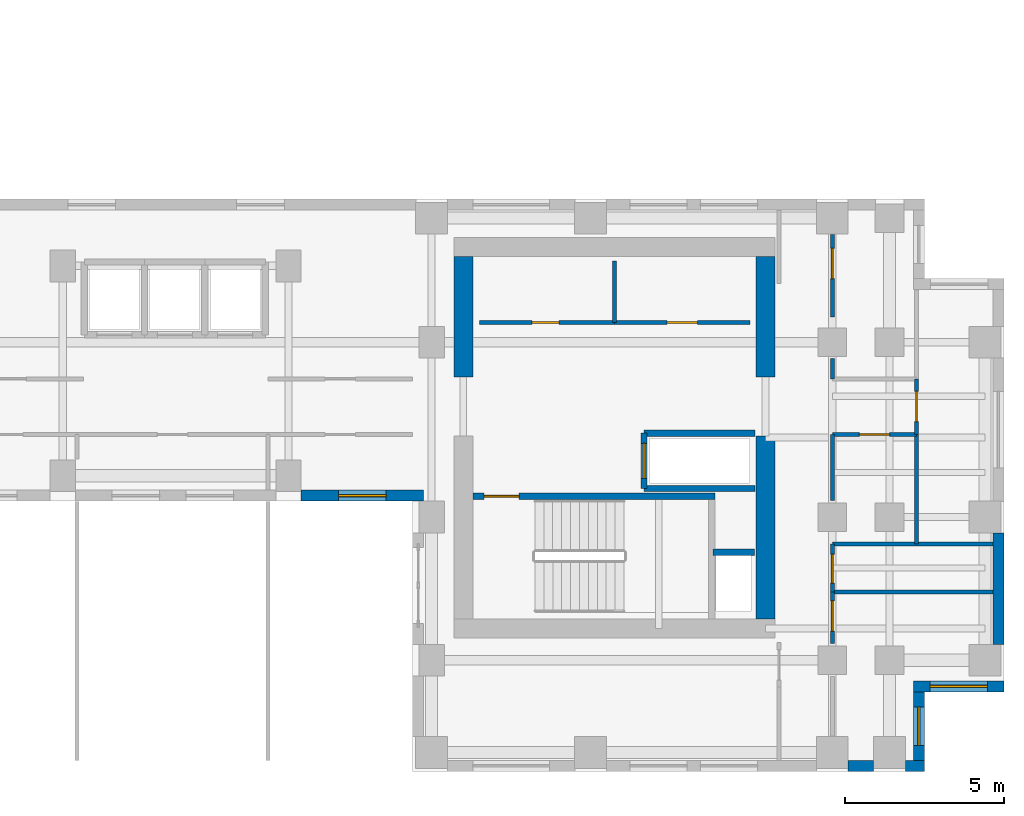
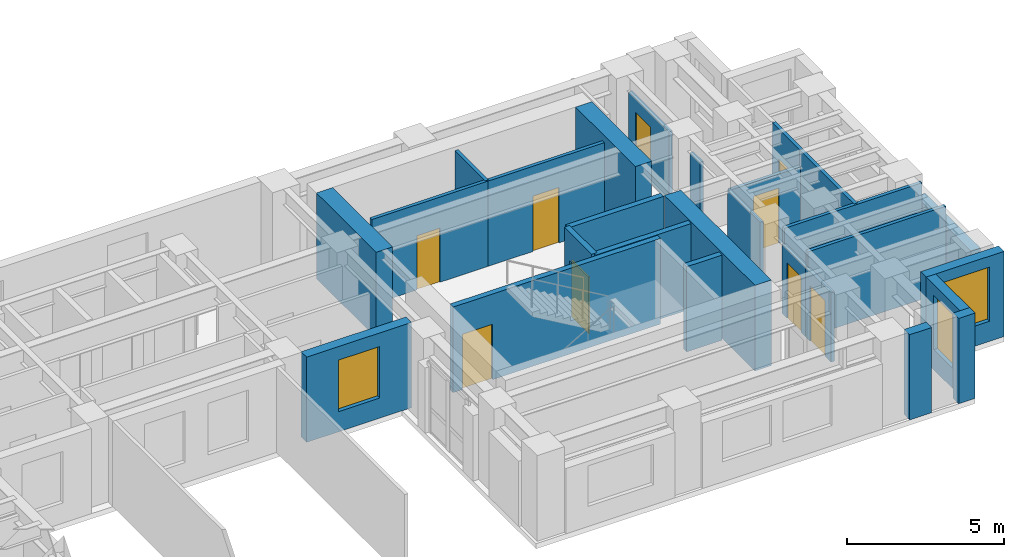
# One storey, part 8 of 12: 27 walls, 9 doors, 3 windows, 12 openings.
"""IFC4 building model written with IfcOpenShell, lengths in metres."""

from ifc_helpers import new_model, si_unit, direction, frame, frame_2d, origin, place, context, subcontext, project, spatial, rectangle, extrude, source, transform, mapped, material, layer, layer_set, type_object, element, fill, save


model = new_model("IFC4")

# Units and contexts
model_context = context("Model", 3, precision=1e-05, world=origin(), true_north=direction((0.0, 1.0)))
body_context = subcontext(model_context, "Body", "Model", "MODEL_VIEW")
ifc_project = project(units=[si_unit("LENGTHUNIT", "METRE"), si_unit("AREAUNIT", "SQUARE_METRE"), si_unit("VOLUMEUNIT", "CUBIC_METRE"), si_unit("PLANEANGLEUNIT", "RADIAN"), si_unit("MASSUNIT", "GRAM", prefix="KILO")], contexts=[model_context])

# Site, building, storey
site_placement = place(None, origin())
site = spatial("IfcSite", under=ifc_project, at=site_placement, CompositionType="ELEMENT")
building_placement = place(site_placement, origin())
building = spatial("IfcBuilding", under=site, at=building_placement, Name="Kharzan Plaza Tower", CompositionType="ELEMENT")
storey_placement = place(building_placement, frame((0.0, 0.0, 204.300048828125)))
storey = spatial("IfcBuildingStorey", under=building, at=storey_placement, Name="L55", CompositionType="ELEMENT", Elevation=204.300048828125)

# Wall, opening, window
ifc_material_1 = material(Name="Concrete C40/50", Category="concrete")
ifc_layer_1 = layer(ifc_material_1, 0.35009765625)
ifc_layer_set_1 = layer_set([ifc_layer_1], Name="Concrete C40/50")
wall_type_1 = type_object("IfcWallType", Name="WL-EXT-MAS-Z3", PredefinedType="SOLIDWALL", material=ifc_layer_set_1)
wall_1_placement = place(storey_placement, frame((30.89794921875, 8.675048828125, 0.0), z_axis=(0.0, 0.0, 1.0), x_axis=(1.0, 0.0, 0.0)))
wall_1 = element("IfcWall", 1, at=wall_1_placement, inside=storey, type_object=wall_type_1, Name="L55 Masonry-Frame Exterior Wall 28", PredefinedType="SOLIDWALL", context=body_context, shape_type="SweptSolid", body=[
    extrude(rectangle(XDim=3.85205078125, YDim=0.35009765625, at=frame_2d((1.926025390625, 0.0))), origin(), (0.0, 0.0, 1.0), 3.304931640625),
])
opening_1_placement = place(wall_1_placement, frame((1.176025390625, 0.0, 0.780029296875)))
opening_1 = element("IfcOpeningElement", 2, at=opening_1_placement, cuts=wall_1, Name="Opening W5", PredefinedType="OPENING", context=body_context, shape_type="SweptSolid", body=[
    extrude(rectangle(XDim=1.5, YDim=2.0, at=frame_2d((0.75, 1.0))), frame((0.0, 0.18505859375, 0.0), z_axis=(0.0, -1.0, 0.0), x_axis=(1.0, 0.0, 0.0)), (0.0, 0.0, 1.0), 0.3701171875),
])
ifc_material_2 = material(Name="Low-E Double Glazing", Category="glass")
window_type_1 = type_object("IfcWindowType", Name="WN-SLT-1500x2000", PartitioningType="SINGLE_PANEL", PredefinedType="WINDOW", material=ifc_material_2)
shared_shape_1 = source(origin(), body_context, "Body", "SweptSolid", [
    extrude(rectangle(XDim=1.5, YDim=2.0, at=frame_2d((0.75, 1.0))), frame((0.0, 0.030029296875, 0.0), z_axis=(0.0, -1.0, 0.0), x_axis=(1.0, 0.0, 0.0)), (0.0, 0.0, 1.0), 0.06005859375),
])
window_1_placement = place(opening_1_placement, origin())
window_1 = element("IfcWindow", 3, at=window_1_placement, inside=storey, type_object=window_type_1, Name="L55 Recessed Solar-Control Window 28-1", OverallHeight=2.0, OverallWidth=1.5, PartitioningType="SINGLE_PANEL", PredefinedType="WINDOW", context=body_context, shape_type="MappedRepresentation", body=[
    mapped(shared_shape_1, transform((0.0, 0.0, 0.0), x_axis=(1.0, 0.0, 0.0), y_axis=(0.0, 1.0, 0.0), z_axis=(0.0, 0.0, 1.0))),
])
fill(opening_1, window_1)

wall_2_placement = place(storey_placement, frame((50.324951171875, 0.347900390625, 0.0), z_axis=(0.0, 0.0, 1.0), x_axis=(0.0, 1.0, 0.0)))
wall_2 = element("IfcWall", 4, at=wall_2_placement, inside=storey, type_object=wall_type_1, Name="L55 Masonry-Frame Exterior Wall 36", PredefinedType="SOLIDWALL", context=body_context, shape_type="SweptSolid", body=[
    extrude(rectangle(XDim=2.154052734375, YDim=0.35009765625, at=frame_2d((1.0771484375, 0.0))), origin(), (0.0, 0.0, 1.0), 3.304931640625),
])
opening_2_placement = place(wall_2_placement, frame((0.47705078125, 0.0, 0.780029296875)))
opening_2 = element("IfcOpeningElement", 5, at=opening_2_placement, cuts=wall_2, Name="Opening W3", PredefinedType="OPENING", context=body_context, shape_type="SweptSolid", body=[
    extrude(rectangle(XDim=1.199951171875, YDim=2.10009765625, at=frame_2d((0.60009765625, 1.050048828125))), frame((0.0, 0.18505859375, 0.0), z_axis=(0.0, -1.0, 0.0), x_axis=(1.0, 0.0, 0.0)), (0.0, 0.0, 1.0), 0.3701171875),
])
window_type_2 = type_object("IfcWindowType", Name="WN-REC-1200x2100", PartitioningType="SINGLE_PANEL", PredefinedType="WINDOW", material=ifc_material_2)
shared_shape_2 = source(origin(), body_context, "Body", "SweptSolid", [
    extrude(rectangle(XDim=1.199951171875, YDim=2.10009765625, at=frame_2d((0.60009765625, 1.050048828125))), frame((0.0, 0.030029296875, 0.0), z_axis=(0.0, -1.0, 0.0), x_axis=(1.0, 0.0, 0.0)), (0.0, 0.0, 1.0), 0.06005859375),
])
window_2_placement = place(opening_2_placement, origin())
window_2 = element("IfcWindow", 6, at=window_2_placement, inside=storey, type_object=window_type_2, Name="L55 Recessed Solar-Control Window 36-1", OverallHeight=2.10009765625, OverallWidth=1.199951171875, PartitioningType="SINGLE_PANEL", PredefinedType="WINDOW", context=body_context, shape_type="MappedRepresentation", body=[
    mapped(shared_shape_2, transform((0.0, 0.0, 0.0), x_axis=(1.0, 0.0, 0.0), y_axis=(0.0, 1.0, 0.0), z_axis=(0.0, 0.0, 1.0))),
])
fill(opening_2, window_2)

wall_3_placement = place(storey_placement, frame((50.14990234375, 2.675048828125, 0.0), z_axis=(0.0, 0.0, 1.0), x_axis=(1.0, 0.0, 0.0)))
wall_3 = element("IfcWall", 7, at=wall_3_placement, inside=storey, type_object=wall_type_1, Name="L55 Masonry-Frame Exterior Wall 37", PredefinedType="SOLIDWALL", context=body_context, shape_type="SweptSolid", body=[
    extrude(rectangle(XDim=2.85009765625, YDim=0.35009765625, at=frame_2d((1.425048828125, 0.0))), origin(), (0.0, 0.0, 1.0), 3.304931640625),
])
opening_3_placement = place(wall_3_placement, frame((0.52490234375, 0.0, 0.780029296875)))
opening_3 = element("IfcOpeningElement", 8, at=opening_3_placement, cuts=wall_3, Name="Opening W1", PredefinedType="OPENING", context=body_context, shape_type="SweptSolid", body=[
    extrude(rectangle(XDim=1.800048828125, YDim=2.10009765625, at=frame_2d((0.89990234375, 1.050048828125))), frame((0.0, 0.18505859375, 0.0), z_axis=(0.0, -1.0, 0.0), x_axis=(1.0, 0.0, 0.0)), (0.0, 0.0, 1.0), 0.3701171875),
])
window_type_3 = type_object("IfcWindowType", Name="WN-REC-1800x2100", PartitioningType="SINGLE_PANEL", PredefinedType="WINDOW", material=ifc_material_2)
shared_shape_3 = source(origin(), body_context, "Body", "SweptSolid", [
    extrude(rectangle(XDim=1.800048828125, YDim=2.10009765625, at=frame_2d((0.89990234375, 1.050048828125))), frame((0.0, 0.030029296875, 0.0), z_axis=(0.0, -1.0, 0.0), x_axis=(1.0, 0.0, 0.0)), (0.0, 0.0, 1.0), 0.06005859375),
])
window_3_placement = place(opening_3_placement, origin())
window_3 = element("IfcWindow", 9, at=window_3_placement, inside=storey, type_object=window_type_3, Name="L55 Recessed Solar-Control Window 37-1", OverallHeight=2.10009765625, OverallWidth=1.800048828125, PartitioningType="SINGLE_PANEL", PredefinedType="WINDOW", context=body_context, shape_type="MappedRepresentation", body=[
    mapped(shared_shape_3, transform((0.0, 0.0, 0.0), x_axis=(1.0, 0.0, 0.0), y_axis=(0.0, 1.0, 0.0), z_axis=(0.0, 0.0, 1.0))),
])
fill(opening_3, window_3)

# Wall, opening, door
ifc_material_3 = material(Name="Fire-Rated Gypsum Board Partition", Category="gypsum")
ifc_layer_2 = layer(ifc_material_3, 0.125)
ifc_layer_set_2 = layer_set([ifc_layer_2], Name="Fire-Rated Gypsum Board Partition")
wall_type_2 = type_object("IfcWallType", Name="WL-INT-PART-125", PredefinedType="PARTITIONING", material=ifc_layer_set_2)
wall_4_placement = place(storey_placement, frame((36.5, 14.1201171875, 0.0), z_axis=(0.0, 0.0, 1.0), x_axis=(1.0, 0.0, 0.0)))
wall_4 = element("IfcWall", 10, at=wall_4_placement, inside=storey, type_object=wall_type_2, Name="L55 Interior Partition CB-RBLS1", PredefinedType="PARTITIONING", context=body_context, shape_type="SweptSolid", body=[
    extrude(rectangle(XDim=4.25, YDim=0.125, at=frame_2d((2.125, 0.0))), origin(), (0.0, 0.0, 1.0), 3.304931640625),
])
opening_4_placement = place(wall_4_placement, frame((1.64990234375, 0.0, 0.0)))
opening_4 = element("IfcOpeningElement", 11, at=opening_4_placement, cuts=wall_4, Name="Opening RD1", PredefinedType="OPENING", context=body_context, shape_type="SweptSolid", body=[
    extrude(rectangle(XDim=0.85009765625, YDim=2.10009765625, at=frame_2d((0.425048828125, 1.050048828125))), frame((0.0, 0.072509765625, 0.0), z_axis=(0.0, -1.0, 0.0), x_axis=(1.0, 0.0, 0.0)), (0.0, 0.0, 1.0), 0.14501953125),
])
ifc_material_4 = material(Name="Powder-Coated Fire-Rated Steel", Category="steel")
door_type_1 = type_object("IfcDoorType", Name="DR-RISER-900", OperationType="NOTDEFINED", PredefinedType="DOOR", material=ifc_material_4)
shared_shape_4 = source(origin(), body_context, "Body", "SweptSolid", [
    extrude(rectangle(XDim=0.85009765625, YDim=2.10009765625, at=frame_2d((0.425048828125, 1.050048828125))), frame((0.0, 0.02490234375, 0.0), z_axis=(0.0, -1.0, 0.0), x_axis=(1.0, 0.0, 0.0)), (0.0, 0.0, 1.0), 0.050048828125),
])
door_1_placement = place(opening_4_placement, origin())
door_1 = element("IfcDoor", 12, at=door_1_placement, inside=storey, type_object=door_type_1, Name="L55 Archive Room Door", OperationType="SINGLE_SWING_RIGHT", OverallHeight=2.10009765625, OverallWidth=0.85009765625, PredefinedType="DOOR", context=body_context, shape_type="MappedRepresentation", body=[
    mapped(shared_shape_4, transform((0.0, 0.0, 0.0), x_axis=(1.0, 0.0, 0.0), y_axis=(0.0, 1.0, 0.0), z_axis=(0.0, 0.0, 1.0))),
])
fill(opening_4, door_1)

wall_5_placement = place(storey_placement, frame((40.75, 14.1201171875, 0.0), z_axis=(0.0, 0.0, 1.0), x_axis=(1.0, 0.0, 0.0)))
wall_5 = element("IfcWall", 13, at=wall_5_placement, inside=storey, type_object=wall_type_2, Name="L55 Interior Partition CB-RBLS2", PredefinedType="PARTITIONING", context=body_context, shape_type="SweptSolid", body=[
    extrude(rectangle(XDim=4.27001953125, YDim=0.125, at=frame_2d((2.135009765625, 0.0))), origin(), (0.0, 0.0, 1.0), 3.304931640625),
])
opening_5_placement = place(wall_5_placement, frame((1.659912109375, 0.0, 0.0)))
opening_5 = element("IfcOpeningElement", 14, at=opening_5_placement, cuts=wall_5, Name="Opening OD1", PredefinedType="OPENING", context=body_context, shape_type="SweptSolid", body=[
    extrude(rectangle(XDim=0.949951171875, YDim=2.14990234375, at=frame_2d((0.47509765625, 1.074951171875))), frame((0.0, 0.072509765625, 0.0), z_axis=(0.0, -1.0, 0.0), x_axis=(1.0, 0.0, 0.0)), (0.0, 0.0, 1.0), 0.14501953125),
])
ifc_material_5 = material(Name="Acoustic Solid-Core Stained Oak", Category="timber")
door_type_2 = type_object("IfcDoorType", Name="DR-OFF-SINGLE", OperationType="NOTDEFINED", PredefinedType="DOOR", material=ifc_material_5)
shared_shape_5 = source(origin(), body_context, "Body", "SweptSolid", [
    extrude(rectangle(XDim=0.949951171875, YDim=2.14990234375, at=frame_2d((0.47509765625, 1.074951171875))), frame((0.0, 0.02490234375, 0.0), z_axis=(0.0, -1.0, 0.0), x_axis=(1.0, 0.0, 0.0)), (0.0, 0.0, 1.0), 0.050048828125),
])
door_2_placement = place(opening_5_placement, origin())
door_2 = element("IfcDoor", 15, at=door_2_placement, inside=storey, type_object=door_type_2, Name="L55 Print Room Door", OperationType="SINGLE_SWING_LEFT", OverallHeight=2.14990234375, OverallWidth=0.949951171875, PredefinedType="DOOR", context=body_context, shape_type="MappedRepresentation", body=[
    mapped(shared_shape_5, transform((0.0, 0.0, 0.0), x_axis=(1.0, 0.0, 0.0), y_axis=(0.0, 1.0, 0.0), z_axis=(0.0, 0.0, 1.0))),
])
fill(opening_5, door_2)

wall_6_placement = place(storey_placement, frame((50.25, 10.60009765625, 0.0), z_axis=(0.0, 0.0, 1.0), x_axis=(0.0, 1.0, 0.0)))
wall_6 = element("IfcWall", 16, at=wall_6_placement, inside=storey, type_object=wall_type_2, Name="L55 Interior Partition SH-B2E2", PredefinedType="PARTITIONING", context=body_context, shape_type="SweptSolid", body=[
    extrude(rectangle(XDim=1.75, YDim=0.125, at=frame_2d((0.875, 0.0))), origin(), (0.0, 0.0, 1.0), 3.304931640625),
])
opening_6_placement = place(wall_6_placement, frame((0.39990234375, 0.0, 0.0)))
opening_6 = element("IfcOpeningElement", 17, at=opening_6_placement, cuts=wall_6, Name="Opening OD1", PredefinedType="OPENING", context=body_context, shape_type="SweptSolid", body=[
    extrude(rectangle(XDim=0.949951171875, YDim=2.14990234375, at=frame_2d((0.47509765625, 1.074951171875))), frame((0.0, 0.072509765625, 0.0), z_axis=(0.0, -1.0, 0.0), x_axis=(1.0, 0.0, 0.0)), (0.0, 0.0, 1.0), 0.14501953125),
])
door_3_placement = place(opening_6_placement, origin())
door_3 = element("IfcDoor", 18, at=door_3_placement, inside=storey, type_object=door_type_2, Name="L55 East Boardroom Door", OperationType="SINGLE_SWING_RIGHT", OverallHeight=2.14990234375, OverallWidth=0.949951171875, PredefinedType="DOOR", context=body_context, shape_type="MappedRepresentation", body=[
    mapped(shared_shape_5, transform((0.0, 0.0, 0.0), x_axis=(1.0, 0.0, 0.0), y_axis=(0.0, 1.0, 0.0), z_axis=(0.0, 0.0, 1.0))),
])
fill(opening_6, door_3)

wall_7_placement = place(storey_placement, frame((47.60009765625, 10.60009765625, 0.0), z_axis=(0.0, 0.0, 1.0), x_axis=(1.0, 0.0, 0.0)))
wall_7 = element("IfcWall", 19, at=wall_7_placement, inside=storey, type_object=wall_type_2, Name="L55 Interior Partition SH-B2S1", PredefinedType="PARTITIONING", context=body_context, shape_type="SweptSolid", body=[
    extrude(rectangle(XDim=2.64990234375, YDim=0.125, at=frame_2d((1.324951171875, 0.0))), origin(), (0.0, 0.0, 1.0), 2.69287109375),
])
opening_7_placement = place(wall_7_placement, frame((0.85009765625, 0.0, 0.0)))
opening_7 = element("IfcOpeningElement", 20, at=opening_7_placement, cuts=wall_7, Name="Opening OD1", PredefinedType="OPENING", context=body_context, shape_type="SweptSolid", body=[
    extrude(rectangle(XDim=0.949951171875, YDim=2.14990234375, at=frame_2d((0.47509765625, 1.074951171875))), frame((0.0, 0.072509765625, 0.0), z_axis=(0.0, -1.0, 0.0), x_axis=(1.0, 0.0, 0.0)), (0.0, 0.0, 1.0), 0.14501953125),
])
door_4_placement = place(opening_7_placement, origin())
door_4 = element("IfcDoor", 21, at=door_4_placement, inside=storey, type_object=door_type_2, Name="L55 Spur South Office Door", OperationType="SINGLE_SWING_LEFT", OverallHeight=2.14990234375, OverallWidth=0.949951171875, PredefinedType="DOOR", context=body_context, shape_type="MappedRepresentation", body=[
    mapped(shared_shape_5, transform((0.0, 0.0, 0.0), x_axis=(1.0, 0.0, 0.0), y_axis=(0.0, 1.0, 0.0), z_axis=(0.0, 0.0, 1.0))),
])
fill(opening_7, door_4)

wall_8_placement = place(storey_placement, frame((47.60009765625, 4.02001953125, 0.0), z_axis=(0.0, 0.0, 1.0), x_axis=(0.0, 1.0, 0.0)))
wall_8 = element("IfcWall", 22, at=wall_8_placement, inside=storey, type_object=wall_type_2, Name="L55 Interior Partition SH-B2W0", PredefinedType="PARTITIONING", context=body_context, shape_type="SweptSolid", body=[
    extrude(rectangle(XDim=1.6298828125, YDim=0.125, at=frame_2d((0.81494140625, 0.0))), origin(), (0.0, 0.0, 1.0), 2.69287109375),
])
opening_8_placement = place(wall_8_placement, frame((0.393310546875, 0.0, 0.0)))
opening_8 = element("IfcOpeningElement", 23, at=opening_8_placement, cuts=wall_8, Name="Opening OD1", PredefinedType="OPENING", context=body_context, shape_type="SweptSolid", body=[
    extrude(rectangle(XDim=0.949951171875, YDim=2.14990234375, at=frame_2d((0.47509765625, 1.074951171875))), frame((0.0, 0.072509765625, 0.0), z_axis=(0.0, -1.0, 0.0), x_axis=(1.0, 0.0, 0.0)), (0.0, 0.0, 1.0), 0.14501953125),
])
door_5_placement = place(opening_8_placement, origin())
door_5 = element("IfcDoor", 24, at=door_5_placement, inside=storey, type_object=door_type_2, Name="L55 Wing B South Office Door", OperationType="SINGLE_SWING_RIGHT", OverallHeight=2.14990234375, OverallWidth=0.949951171875, PredefinedType="DOOR", context=body_context, shape_type="MappedRepresentation", body=[
    mapped(shared_shape_5, transform((0.0, 0.0, 0.0), x_axis=(1.0, 0.0, 0.0), y_axis=(0.0, 1.0, 0.0), z_axis=(0.0, 0.0, 1.0))),
])
fill(opening_8, door_5)

wall_9_placement = place(storey_placement, frame((47.60009765625, 14.300048828125, 0.0), z_axis=(0.0, 0.0, 1.0), x_axis=(0.0, 1.0, 0.0)))
wall_9 = element("IfcWall", 25, at=wall_9_placement, inside=storey, type_object=wall_type_2, Name="L55 Interior Partition SH-B2W3D", PredefinedType="PARTITIONING", context=body_context, shape_type="SweptSolid", body=[
    extrude(rectangle(XDim=2.579833984375, YDim=0.125, at=frame_2d((1.2900390625, 0.0))), origin(), (0.0, 0.0, 1.0), 2.69287109375),
])
opening_9_placement = place(wall_9_placement, frame((1.199951171875, 0.0, 0.0)))
opening_9 = element("IfcOpeningElement", 26, at=opening_9_placement, cuts=wall_9, Name="Opening OD1", PredefinedType="OPENING", context=body_context, shape_type="SweptSolid", body=[
    extrude(rectangle(XDim=0.949951171875, YDim=2.14990234375, at=frame_2d((0.47509765625, 1.074951171875))), frame((0.0, 0.072509765625, 0.0), z_axis=(0.0, -1.0, 0.0), x_axis=(1.0, 0.0, 0.0)), (0.0, 0.0, 1.0), 0.14501953125),
])
door_6_placement = place(opening_9_placement, origin())
door_6 = element("IfcDoor", 27, at=door_6_placement, inside=storey, type_object=door_type_2, Name="L55 Spur North Office Door", OperationType="SINGLE_SWING_LEFT", OverallHeight=2.14990234375, OverallWidth=0.949951171875, PredefinedType="DOOR", context=body_context, shape_type="MappedRepresentation", body=[
    mapped(shared_shape_5, transform((0.0, 0.0, 0.0), x_axis=(1.0, 0.0, 0.0), y_axis=(0.0, 1.0, 0.0), z_axis=(0.0, 0.0, 1.0))),
])
fill(opening_9, door_6)

wall_10_placement = place(storey_placement, frame((47.60009765625, 5.64990234375, 0.0), z_axis=(0.0, 0.0, 1.0), x_axis=(0.0, 1.0, 0.0)))
wall_10 = element("IfcWall", 28, at=wall_10_placement, inside=storey, type_object=wall_type_2, Name="L55 Interior Partition SH-B2WC", PredefinedType="PARTITIONING", context=body_context, shape_type="SweptSolid", body=[
    extrude(rectangle(XDim=1.5, YDim=0.125, at=frame_2d((0.75, 0.0))), origin(), (0.0, 0.0, 1.0), 2.69287109375),
])
opening_10_placement = place(wall_10_placement, frame((0.27490234375, 0.0, 0.0)))
opening_10 = element("IfcOpeningElement", 29, at=opening_10_placement, cuts=wall_10, Name="Opening WD1", PredefinedType="OPENING", context=body_context, shape_type="SweptSolid", body=[
    extrude(rectangle(XDim=0.89990234375, YDim=2.14990234375, at=frame_2d((0.449951171875, 1.074951171875))), frame((0.0, 0.072509765625, 0.0), z_axis=(0.0, -1.0, 0.0), x_axis=(1.0, 0.0, 0.0)), (0.0, 0.0, 1.0), 0.14501953125),
])
ifc_material_6 = material(Name="Moisture-Resistant Fire-Rated Laminate", Category="timber")
door_type_3 = type_object("IfcDoorType", Name="DR-WC-900", OperationType="NOTDEFINED", PredefinedType="DOOR", material=ifc_material_6)
shared_shape_6 = source(origin(), body_context, "Body", "SweptSolid", [
    extrude(rectangle(XDim=0.89990234375, YDim=2.14990234375, at=frame_2d((0.449951171875, 1.074951171875))), frame((0.0, 0.02490234375, 0.0), z_axis=(0.0, -1.0, 0.0), x_axis=(1.0, 0.0, 0.0)), (0.0, 0.0, 1.0), 0.050048828125),
])
door_7_placement = place(opening_10_placement, origin())
door_7 = element("IfcDoor", 30, at=door_7_placement, inside=storey, type_object=door_type_3, Name="L55 Wing B Washroom Door", OperationType="SINGLE_SWING_LEFT", OverallHeight=2.14990234375, OverallWidth=0.89990234375, PredefinedType="DOOR", context=body_context, shape_type="MappedRepresentation", body=[
    mapped(shared_shape_6, transform((0.0, 0.0, 0.0), x_axis=(1.0, 0.0, 0.0), y_axis=(0.0, 1.0, 0.0), z_axis=(0.0, 0.0, 1.0))),
])
fill(opening_10, door_7)

ifc_layer_3 = layer(ifc_material_1, 0.199951171875)
ifc_layer_set_3 = layer_set([ifc_layer_3], Name="Concrete C40/50")
wall_type_3 = type_object("IfcWallType", Name="WL-INT-SHAFT-200", PredefinedType="PARTITIONING", material=ifc_layer_set_3)
wall_11_placement = place(storey_placement, frame((41.679931640625, 8.89990234375, 0.0), z_axis=(0.0, 0.0, 1.0), x_axis=(0.0, 1.0, 0.0)))
wall_11 = element("IfcWall", 31, at=wall_11_placement, inside=storey, type_object=wall_type_3, Name="L55 Interior Partition SHF-SVL-2-W", PredefinedType="PARTITIONING", context=body_context, shape_type="SweptSolid", body=[
    extrude(rectangle(XDim=1.739990234375, YDim=0.199951171875, at=frame_2d((0.8701171875, 0.0))), origin(), (0.0, 0.0, 1.0), 3.304931640625),
])
opening_11_placement = place(wall_11_placement, frame((0.320068359375, 0.0, 0.0)))
opening_11 = element("IfcOpeningElement", 32, at=opening_11_placement, cuts=wall_11, Name="Opening LD", PredefinedType="OPENING", context=body_context, shape_type="SweptSolid", body=[
    extrude(rectangle(XDim=1.10009765625, YDim=2.199951171875, at=frame_2d((0.550048828125, 1.10009765625))), frame((0.0, 0.10986328125, 0.0), z_axis=(0.0, -1.0, 0.0), x_axis=(1.0, 0.0, 0.0)), (0.0, 0.0, 1.0), 0.219970703125),
])
ifc_material_7 = material(Name="Brushed Stainless Steel", Category="steel")
door_type_4 = type_object("IfcDoorType", Name="DR-LIFT-SLIDE", OperationType="SLIDING_TO_LEFT", PredefinedType="DOOR", material=ifc_material_7)
shared_shape_7 = source(origin(), body_context, "Body", "SweptSolid", [
    extrude(rectangle(XDim=1.10009765625, YDim=2.199951171875, at=frame_2d((0.550048828125, 1.10009765625))), frame((0.0, 0.02490234375, 0.0), z_axis=(0.0, -1.0, 0.0), x_axis=(1.0, 0.0, 0.0)), (0.0, 0.0, 1.0), 0.050048828125),
])
door_8_placement = place(opening_11_placement, origin())
door_8 = element("IfcDoor", 33, at=door_8_placement, inside=storey, type_object=door_type_4, Name="L55 Service Lift SVL-2 Sliding Landing Door", OperationType="SLIDING_TO_LEFT", OverallHeight=2.199951171875, OverallWidth=1.10009765625, PredefinedType="DOOR", context=body_context, shape_type="MappedRepresentation", body=[
    mapped(shared_shape_7, transform((0.0, 0.0, 0.0), x_axis=(1.0, 0.0, 0.0), y_axis=(0.0, 1.0, 0.0), z_axis=(0.0, 0.0, 1.0))),
])
fill(opening_11, door_8)

ifc_material_8 = material(Name="Concrete C50/60", Category="concrete")
ifc_layer_4 = layer(ifc_material_8, 0.199951171875)
ifc_layer_set_4 = layer_set([ifc_layer_4], Name="Concrete C50/60")
wall_type_4 = type_object("IfcWallType", Name="WL-SHAFT-RC200", PredefinedType="SHEAR", material=ifc_layer_set_4)
wall_12_placement = place(storey_placement, frame((36.302001953125, 8.655029296875, 0.0), z_axis=(0.0, 0.0, 1.0), x_axis=(1.0, 0.0, 0.0)))
wall_12 = element("IfcWall", 34, at=wall_12_placement, inside=storey, type_object=wall_type_4, Name="L55 Stair ST-3 North RC Shaft Wall", PredefinedType="SHEAR", context=body_context, shape_type="SweptSolid", body=[
    extrude(rectangle(XDim=7.60302734375, YDim=0.199951171875, at=frame_2d((3.801513671875, 0.0))), origin(), (0.0, 0.0, 1.0), 3.320068359375),
])
opening_12_placement = place(wall_12_placement, frame((0.35009765625, 0.0, 0.0)))
opening_12 = element("IfcOpeningElement", 35, at=opening_12_placement, cuts=wall_12, Name="Opening SD1", PredefinedType="OPENING", context=body_context, shape_type="SweptSolid", body=[
    extrude(rectangle(XDim=1.10009765625, YDim=2.14990234375, at=frame_2d((0.550048828125, 1.074951171875))), frame((0.0, 0.10986328125, 0.0), z_axis=(0.0, -1.0, 0.0), x_axis=(1.0, 0.0, 0.0)), (0.0, 0.0, 1.0), 0.219970703125),
])
ifc_material_9 = material(Name="Fire-Rated Hollow Galvanized Steel", Category="steel")
door_type_5 = type_object("IfcDoorType", Name="DR-STAIR-FD120", OperationType="NOTDEFINED", PredefinedType="DOOR", material=ifc_material_9)
shared_shape_8 = source(origin(), body_context, "Body", "SweptSolid", [
    extrude(rectangle(XDim=1.10009765625, YDim=2.14990234375, at=frame_2d((0.550048828125, 1.074951171875))), frame((0.0, 0.02490234375, 0.0), z_axis=(0.0, -1.0, 0.0), x_axis=(1.0, 0.0, 0.0)), (0.0, 0.0, 1.0), 0.050048828125),
])
door_9_placement = place(opening_12_placement, origin())
door_9 = element("IfcDoor", 36, at=door_9_placement, inside=storey, type_object=door_type_5, Name="L55 Stair ST-3 Fire Exit Door", OperationType="SINGLE_SWING_LEFT", OverallHeight=2.14990234375, OverallWidth=1.10009765625, PredefinedType="DOOR", context=body_context, shape_type="MappedRepresentation", body=[
    mapped(shared_shape_8, transform((0.0, 0.0, 0.0), x_axis=(1.0, 0.0, 0.0), y_axis=(0.0, 1.0, 0.0), z_axis=(0.0, 0.0, 1.0))),
])
fill(opening_12, door_9)

# Walls
shared_shape_9 = source(origin(), body_context, "Body", "SweptSolid", [
    extrude(rectangle(XDim=3.489990234375, YDim=0.199951171875, at=frame_2d((1.7451171875, 0.0))), origin(), (0.0, 0.0, 1.0), 3.304931640625),
])
for number, where, z_axis, x_axis, name in (
    (37, (41.679931640625, 10.639892578125, 0.0), (0.0, 0.0, 1.0), (1.0, 0.0, 0.0), "L55 Interior Partition SHF-SVL-2-N"),
    (38, (41.679931640625, 8.89990234375, 0.0), (0.0, 0.0, 1.0), (1.0, 0.0, 0.0), "L55 Interior Partition SHF-SVL-2-S"),
):
    element("IfcWall", number, at=place(storey_placement, frame(where, z_axis=z_axis, x_axis=x_axis)), inside=storey, type_object=wall_type_3, Name=name, PredefinedType="PARTITIONING", context=body_context, shape_type="MappedRepresentation", body=[
        mapped(shared_shape_9, transform((0.0, 0.0, 0.0), x_axis=(1.0, 0.0, 0.0), y_axis=(0.0, 1.0, 0.0), z_axis=(0.0, 0.0, 1.0))),
    ])
ifc_layer_5 = layer(ifc_material_8, 0.60009765625)
ifc_layer_set_5 = layer_set([ifc_layer_5], Name="Concrete C50/60")
wall_type_5 = type_object("IfcWallType", Name="WL-CORE-600", PredefinedType="SHEAR", material=ifc_layer_set_5)
shared_shape_10 = source(origin(), body_context, "Body", "SweptSolid", [
    extrude(rectangle(XDim=5.75, YDim=0.60009765625, at=frame_2d((2.875, 0.0))), origin(), (0.0, 0.0, 1.0), 3.320068359375),
])
wall_13_placement = place(storey_placement, frame((45.5, 4.800048828125, 0.0), z_axis=(0.0, 0.0, 1.0), x_axis=(0.0, 1.0, 0.0)))
element("IfcWall", 39, at=wall_13_placement, inside=storey, type_object=wall_type_5, Name="L55 CORE-B east shear pier 1", PredefinedType="SHEAR", context=body_context, shape_type="MappedRepresentation", body=[
    mapped(shared_shape_10, transform((0.0, 0.0, 0.0), x_axis=(1.0, 0.0, 0.0), y_axis=(0.0, 1.0, 0.0), z_axis=(0.0, 0.0, 1.0))),
])
shared_shape_11 = source(origin(), body_context, "Body", "SweptSolid", [
    extrude(rectangle(XDim=3.800048828125, YDim=0.60009765625, at=frame_2d((1.89990234375, 0.0))), origin(), (0.0, 0.0, 1.0), 3.320068359375),
])
for number, where, z_axis, x_axis, name in (
    (40, (45.5, 12.39990234375, 0.0), (0.0, 0.0, 1.0), (0.0, 1.0, 0.0), "L55 CORE-B east shear pier 2"),
    (41, (36.0, 12.39990234375, 0.0), (0.0, 0.0, 1.0), (0.0, 1.0, 0.0), "L55 CORE-B west shear pier 2"),
):
    element("IfcWall", number, at=place(storey_placement, frame(where, z_axis=z_axis, x_axis=x_axis)), inside=storey, type_object=wall_type_5, Name=name, PredefinedType="SHEAR", context=body_context, shape_type="MappedRepresentation", body=[
        mapped(shared_shape_11, transform((0.0, 0.0, 0.0), x_axis=(1.0, 0.0, 0.0), y_axis=(0.0, 1.0, 0.0), z_axis=(0.0, 0.0, 1.0))),
    ])
shared_shape_12 = source(origin(), body_context, "Body", "SweptSolid", [
    extrude(rectangle(XDim=0.80419921875, YDim=0.35009765625, at=frame_2d((0.402099609375, 0.0))), origin(), (0.0, 0.0, 1.0), 3.304931640625),
])
wall_14_placement = place(storey_placement, frame((48.097900390625, 0.175048828125, 0.0), z_axis=(0.0, 0.0, 1.0), x_axis=(1.0, 0.0, 0.0)))
element("IfcWall", 42, at=wall_14_placement, inside=storey, type_object=wall_type_1, Name="L55 Masonry-Frame Exterior Wall 34", PredefinedType="SOLIDWALL", context=body_context, shape_type="MappedRepresentation", body=[
    mapped(shared_shape_12, transform((0.0, 0.0, 0.0), x_axis=(1.0, 0.0, 0.0), y_axis=(0.0, 1.0, 0.0), z_axis=(0.0, 0.0, 1.0))),
])
shared_shape_13 = source(origin(), body_context, "Body", "SweptSolid", [
    extrude(rectangle(XDim=0.60205078125, YDim=0.35009765625, at=frame_2d((0.301025390625, 0.0))), origin(), (0.0, 0.0, 1.0), 3.304931640625),
])
wall_15_placement = place(storey_placement, frame((49.89794921875, 0.175048828125, 0.0), z_axis=(0.0, 0.0, 1.0), x_axis=(1.0, 0.0, 0.0)))
element("IfcWall", 43, at=wall_15_placement, inside=storey, type_object=wall_type_1, Name="L55 Masonry-Frame Exterior Wall 35", PredefinedType="SOLIDWALL", context=body_context, shape_type="MappedRepresentation", body=[
    mapped(shared_shape_13, transform((0.0, 0.0, 0.0), x_axis=(1.0, 0.0, 0.0), y_axis=(0.0, 1.0, 0.0), z_axis=(0.0, 0.0, 1.0))),
])
shared_shape_14 = source(origin(), body_context, "Body", "SweptSolid", [
    extrude(rectangle(XDim=3.50390625, YDim=0.35009765625, at=frame_2d((1.751953125, 0.0))), origin(), (0.0, 0.0, 1.0), 2.531982421875),
])
wall_16_placement = place(storey_placement, frame((52.824951171875, 3.998046875, 0.0), z_axis=(0.0, 0.0, 1.0), x_axis=(0.0, 1.0, 0.0)))
element("IfcWall", 44, at=wall_16_placement, inside=storey, type_object=wall_type_1, Name="L55 Masonry-Frame Exterior Wall 38", PredefinedType="SOLIDWALL", context=body_context, shape_type="MappedRepresentation", body=[
    mapped(shared_shape_14, transform((0.0, 0.0, 0.0), x_axis=(1.0, 0.0, 0.0), y_axis=(0.0, 1.0, 0.0), z_axis=(0.0, 0.0, 1.0))),
])
shared_shape_15 = source(origin(), body_context, "Body", "SweptSolid", [
    extrude(rectangle(XDim=1.929931640625, YDim=0.125, at=frame_2d((0.96484375, 0.0))), origin(), (0.0, 0.0, 1.0), 3.304931640625),
])
wall_17_placement = place(storey_placement, frame((40.75, 14.1201171875, 0.0), z_axis=(0.0, 0.0, 1.0), x_axis=(0.0, 1.0, 0.0)))
element("IfcWall", 45, at=wall_17_placement, inside=storey, type_object=wall_type_2, Name="L55 Interior Partition CB-RBLM1", PredefinedType="PARTITIONING", context=body_context, shape_type="MappedRepresentation", body=[
    mapped(shared_shape_15, transform((0.0, 0.0, 0.0), x_axis=(1.0, 0.0, 0.0), y_axis=(0.0, 1.0, 0.0), z_axis=(0.0, 0.0, 1.0))),
])
shared_shape_16 = source(origin(), body_context, "Body", "SweptSolid", [
    extrude(rectangle(XDim=0.6298828125, YDim=0.125, at=frame_2d((0.31494140625, 0.0))), origin(), (0.0, 0.0, 1.0), 2.69287109375),
])
wall_18_placement = place(storey_placement, frame((47.60009765625, 12.35009765625, 0.0), z_axis=(0.0, 0.0, 1.0), x_axis=(0.0, 1.0, 0.0)))
element("IfcWall", 46, at=wall_18_placement, inside=storey, type_object=wall_type_2, Name="L55 Interior Partition SH-B2W3S", PredefinedType="PARTITIONING", context=body_context, shape_type="MappedRepresentation", body=[
    mapped(shared_shape_16, transform((0.0, 0.0, 0.0), x_axis=(1.0, 0.0, 0.0), y_axis=(0.0, 1.0, 0.0), z_axis=(0.0, 0.0, 1.0))),
])
shared_shape_17 = source(origin(), body_context, "Body", "SweptSolid", [
    extrude(rectangle(XDim=5.0478515625, YDim=0.125, at=frame_2d((2.52392578125, 0.0))), origin(), (0.0, 0.0, 1.0), 3.304931640625),
])
for number, where, z_axis, x_axis, name in (
    (47, (47.60009765625, 5.64990234375, 0.0), (0.0, 0.0, 1.0), (1.0, 0.0, 0.0), "L55 Interior Partition SH-B2H1"),
    (48, (47.60009765625, 7.14990234375, 0.0), (0.0, 0.0, 1.0), (1.0, 0.0, 0.0), "L55 Interior Partition SH-B2H2"),
):
    element("IfcWall", number, at=place(storey_placement, frame(where, z_axis=z_axis, x_axis=x_axis)), inside=storey, type_object=wall_type_2, Name=name, PredefinedType="PARTITIONING", context=body_context, shape_type="MappedRepresentation", body=[
        mapped(shared_shape_17, transform((0.0, 0.0, 0.0), x_axis=(1.0, 0.0, 0.0), y_axis=(0.0, 1.0, 0.0), z_axis=(0.0, 0.0, 1.0))),
    ])
shared_shape_18 = source(origin(), body_context, "Body", "SweptSolid", [
    extrude(rectangle(XDim=3.4501953125, YDim=0.125, at=frame_2d((1.72509765625, 0.0))), origin(), (0.0, 0.0, 1.0), 3.304931640625),
])
wall_19_placement = place(storey_placement, frame((50.25, 7.14990234375, 0.0), z_axis=(0.0, 0.0, 1.0), x_axis=(0.0, 1.0, 0.0)))
element("IfcWall", 49, at=wall_19_placement, inside=storey, type_object=wall_type_2, Name="L55 Interior Partition SH-B2V1", PredefinedType="PARTITIONING", context=body_context, shape_type="MappedRepresentation", body=[
    mapped(shared_shape_18, transform((0.0, 0.0, 0.0), x_axis=(1.0, 0.0, 0.0), y_axis=(0.0, 1.0, 0.0), z_axis=(0.0, 0.0, 1.0))),
])
shared_shape_19 = source(origin(), body_context, "Body", "SweptSolid", [
    extrude(rectangle(XDim=2.080078125, YDim=0.125, at=frame_2d((1.0400390625, 0.0))), origin(), (0.0, 0.0, 1.0), 2.69287109375),
])
wall_20_placement = place(storey_placement, frame((47.60009765625, 8.52001953125, 0.0), z_axis=(0.0, 0.0, 1.0), x_axis=(0.0, 1.0, 0.0)))
element("IfcWall", 50, at=wall_20_placement, inside=storey, type_object=wall_type_2, Name="L55 Interior Partition SH-B2W1C", PredefinedType="PARTITIONING", context=body_context, shape_type="MappedRepresentation", body=[
    mapped(shared_shape_19, transform((0.0, 0.0, 0.0), x_axis=(1.0, 0.0, 0.0), y_axis=(0.0, 1.0, 0.0), z_axis=(0.0, 0.0, 1.0))),
])
shared_shape_20 = source(origin(), body_context, "Body", "SweptSolid", [
    extrude(rectangle(XDim=1.2998046875, YDim=0.199951171875, at=frame_2d((0.64990234375, 0.0))), origin(), (0.0, 0.0, 1.0), 3.304931640625),
])
wall_21_placement = place(storey_placement, frame((43.85009765625, 6.89990234375, 0.0), z_axis=(0.0, 0.0, 1.0), x_axis=(1.0, 0.0, 0.0)))
element("IfcWall", 51, at=wall_21_placement, inside=storey, type_object=wall_type_3, Name="L55 Interior Partition CB-RSRB-N", PredefinedType="PARTITIONING", context=body_context, shape_type="MappedRepresentation", body=[
    mapped(shared_shape_20, transform((0.0, 0.0, 0.0), x_axis=(1.0, 0.0, 0.0), y_axis=(0.0, 1.0, 0.0), z_axis=(0.0, 0.0, 1.0))),
])

save(model, "model.ifc")
